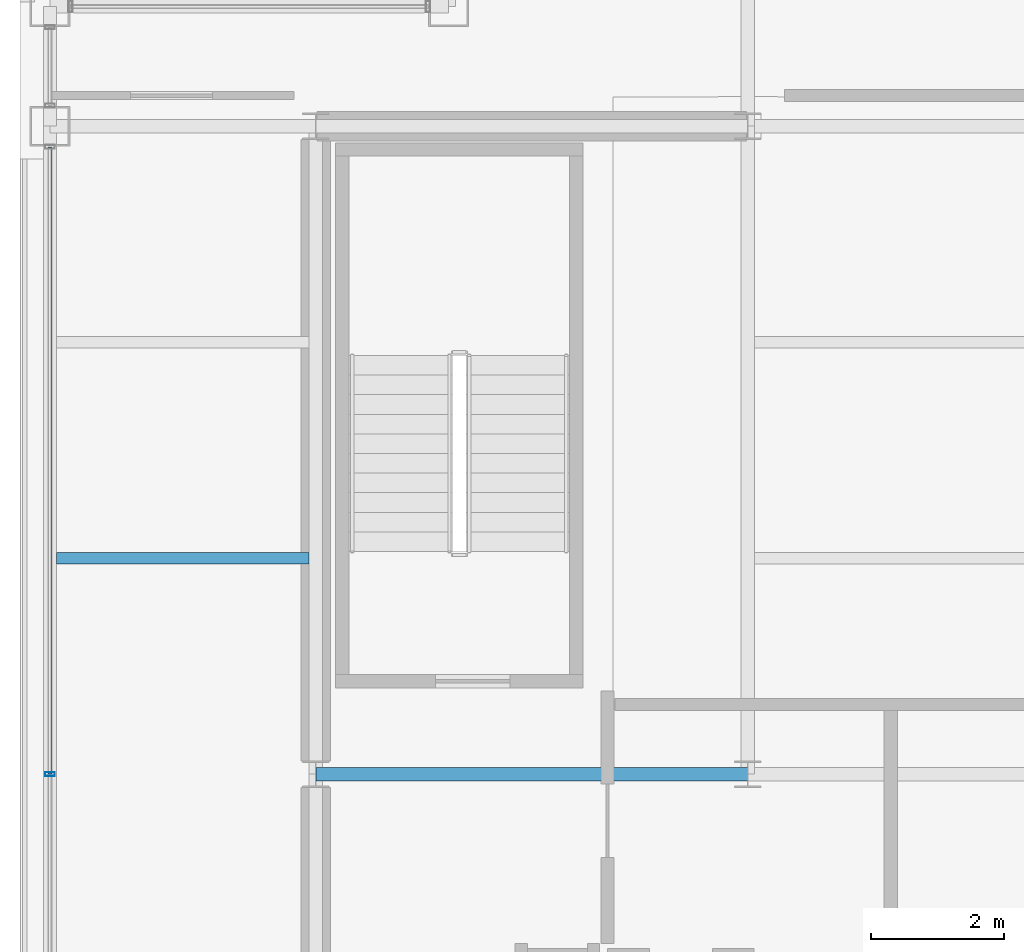
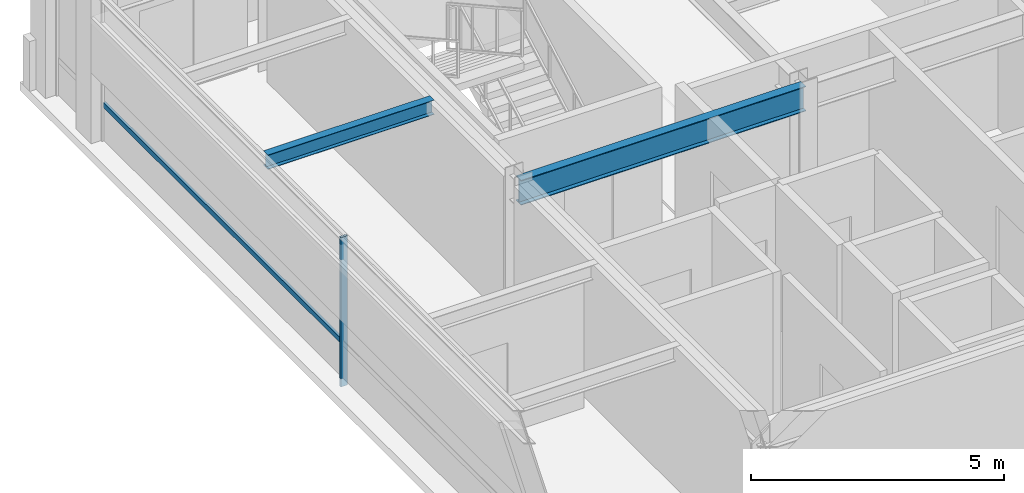
# One storey, part 6 of 22: 2 beams, 2 members, 1 element without a shape of its own.
"""IFC4 building model written with IfcOpenShell, lengths in metres."""

from ifc_helpers import new_model, si_unit, direction, frame, origin, origin_2d, place, context, subcontext, project, spatial, hollow_rectangle, i_section, extrude, material, layer, layer_set, material_profile, profile_set, type_object, element, aggregate, save


model = new_model("IFC4")

# Units and contexts
model_context = context("Model", 3, precision=1e-05, world=origin(), true_north=direction((0.0, 1.0)))
body_context = subcontext(model_context, "Body", "Model", "MODEL_VIEW")
ifc_project = project(units=[si_unit("LENGTHUNIT", "METRE"), si_unit("AREAUNIT", "SQUARE_METRE"), si_unit("VOLUMEUNIT", "CUBIC_METRE"), si_unit("PLANEANGLEUNIT", "RADIAN"), si_unit("MASSUNIT", "GRAM", prefix="KILO")], contexts=[model_context])

# Site, building, storey
site_placement = place(None, origin())
site = spatial("IfcSite", under=ifc_project, at=site_placement, CompositionType="ELEMENT")
building_placement = place(site_placement, origin())
building = spatial("IfcBuilding", under=site, at=building_placement, Name="Brelmoor Portico Tower", CompositionType="ELEMENT")
storey_placement = place(building_placement, frame((0.0, 0.0, 280.800048828125)))
storey = spatial("IfcBuildingStorey", under=building, at=storey_placement, Name="L74", CompositionType="ELEMENT", Elevation=280.800048828125)

# Beams
ifc_material_1 = material(Name="Steel Q355B", Category="steel")
ifc_material_profile_1 = material_profile(ifc_material_1, i_section(OverallWidth=0.175048828125, OverallDepth=0.35009765625, WebThickness=0.007080078125, FlangeThickness=0.010986328125, at=origin_2d()), Name="HN 350x175x7x11")
ifc_profile_set_1 = profile_set([ifc_material_profile_1], Name="Steel Q355B")
beam_type_1 = type_object("IfcBeamType", Name="BM-JS-350", PredefinedType="JOIST", material=ifc_profile_set_1)
beam_1_placement = place(storey_placement, frame((-18.449951171875, 3.25, 3.224853515625), z_axis=(1.0, 0.0, 0.0), x_axis=(0.0, 1.0, 0.0)))
element("IfcBeam", 1, at=beam_1_placement, inside=storey, type_object=beam_type_1, Name="L74 Secondary Wing Joist JS-W09", PredefinedType="JOIST", context=body_context, shape_type="SweptSolid", body=[
    extrude(i_section(OverallWidth=0.175048828125, OverallDepth=0.35009765625, WebThickness=0.007080078125, FlangeThickness=0.010986328125, at=origin_2d()), origin(), (0.0, 0.0, 1.0), 3.800048828125),
])
ifc_material_profile_2 = material_profile(ifc_material_1, i_section(OverallWidth=0.199951171875, OverallDepth=0.60009765625, WebThickness=0.010986328125, FlangeThickness=0.01708984375, at=origin_2d()), Name="HN 600x200x11x17")
ifc_profile_set_2 = profile_set([ifc_material_profile_2], Name="Steel Q355B")
beam_type_2 = type_object("IfcBeamType", Name="BM-PG-600", PredefinedType="BEAM", material=ifc_profile_set_2)
beam_2_placement = place(storey_placement, frame((-14.550048828125, 0.0, 3.099853515625), z_axis=(1.0, 0.0, 0.0), x_axis=(0.0, 1.0, 0.0)))
element("IfcBeam", 2, at=beam_2_placement, inside=storey, type_object=beam_type_2, Name="L74 Primary Floor Girder PG-16", PredefinedType="BEAM", context=body_context, shape_type="SweptSolid", body=[
    extrude(i_section(OverallWidth=0.199951171875, OverallDepth=0.60009765625, WebThickness=0.010986328125, FlangeThickness=0.01708984375, at=origin_2d()), origin(), (0.0, 0.0, 1.0), 6.5),
])

# Curtain wall, members
ifc_material_2 = material(Name="Anodised Aluminium Alloy 6063-T6", Category="aluminium")
ifc_layer = layer(ifc_material_2, 0.179931640625)
ifc_layer_set = layer_set([ifc_layer], Name="Anodised Aluminium Alloy 6063-T6")
curtain_wall_type = type_object("IfcCurtainWallType", Name="CW-TOWER-Z4", PredefinedType="NOTDEFINED", material=ifc_layer_set)
curtain_wall_placement = place(storey_placement, origin())
curtain_wall = element("IfcCurtainWall", 3, at=curtain_wall_placement, inside=storey, type_object=curtain_wall_type, Name="L74 Curtain Wall CW-L74-03-2", PredefinedType="NOTDEFINED")
ifc_material_profile_3 = material_profile(ifc_material_2, hollow_rectangle(XDim=0.06005859375, YDim=0.14990234375, WallThickness=0.00390625, at=origin_2d()), Name="ALU MULLION 60x150")
ifc_profile_set_3 = profile_set([ifc_material_profile_3], Name="Anodised Aluminium Alloy 6063-T6")
member_type_1 = type_object("IfcMemberType", Name="MB-CW-MULL-150", PredefinedType="MULLION", material=ifc_profile_set_3)
member_1_placement = place(storey_placement, frame((-18.550048828125, 0.0, -0.199951171875), z_axis=(0.0, 0.0, 1.0), x_axis=(0.0, 1.0, 0.0)))
member_1 = element("IfcMember", 4, at=member_1_placement, type_object=member_type_1, Name="CW-L74-03-2 Mullion 01", PredefinedType="MULLION", context=body_context, shape_type="SweptSolid", body=[
    extrude(hollow_rectangle(XDim=0.06005859375, YDim=0.14990234375, WallThickness=0.00390625, at=origin_2d()), origin(), (0.0, 0.0, 1.0), 3.599853515625),
])
ifc_material_profile_4 = material_profile(ifc_material_2, hollow_rectangle(XDim=0.06005859375, YDim=0.125, WallThickness=0.00341796875, at=origin_2d()), Name="ALU TRANSOM 60x125")
ifc_profile_set_4 = profile_set([ifc_material_profile_4], Name="Anodised Aluminium Alloy 6063-T6")
member_type_2 = type_object("IfcMemberType", Name="MB-CW-TRAN-125", PredefinedType="USERDEFINED", material=ifc_profile_set_4)
member_2_placement = place(storey_placement, frame((-18.550048828125, 0.0, 0.849853515625), z_axis=(0.0, 1.0, 0.0), x_axis=(-1.0, 0.0, 0.0)))
member_2 = element("IfcMember", 5, at=member_2_placement, type_object=member_type_2, Name="CW-L74-03-2 Transom 1-01", ObjectType="TRANSOM", PredefinedType="USERDEFINED", context=body_context, shape_type="SweptSolid", body=[
    extrude(hollow_rectangle(XDim=0.06005859375, YDim=0.125, WallThickness=0.00341796875, at=origin_2d()), origin(), (0.0, 0.0, 1.0), 9.43994140625),
])
aggregate(curtain_wall, [member_1, member_2])

save(model, "model.ifc")
